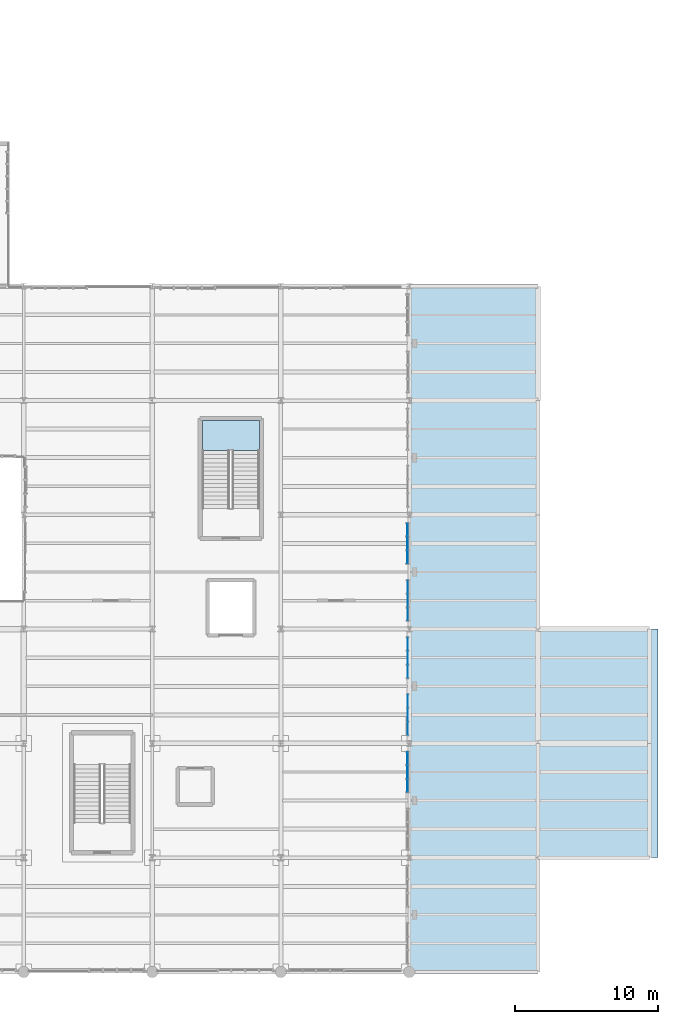
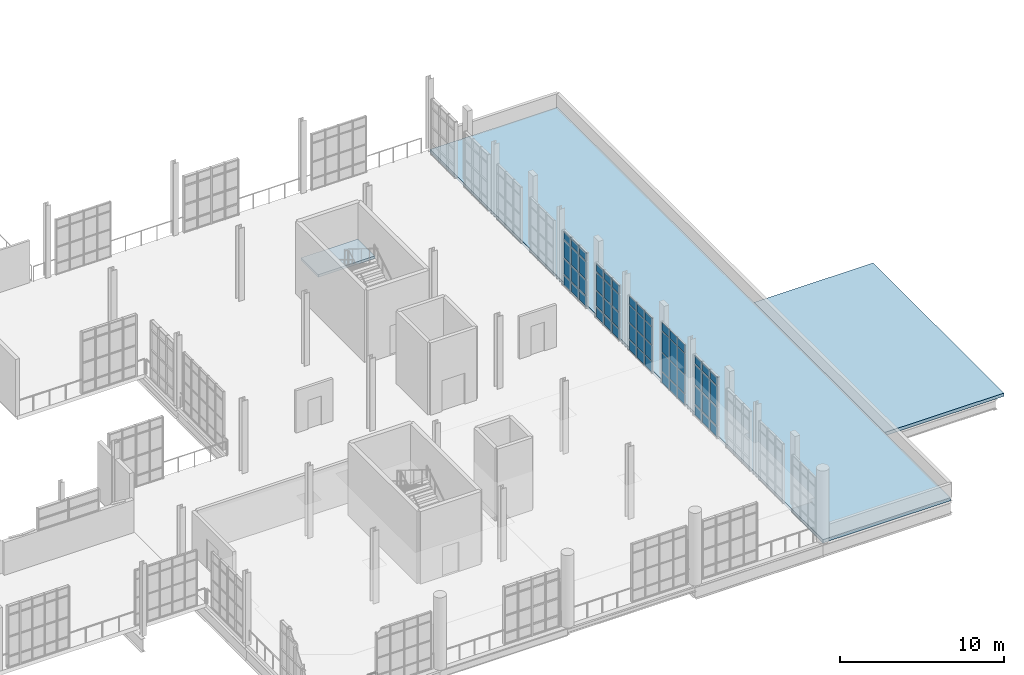
# One storey, part 116 of 142: 60 plates, 3 slabs, 6 elements without a shape of their own.
"""IFC4 building model written with IfcOpenShell, lengths in metres."""

from ifc_helpers import new_model, si_unit, direction, frame, origin, origin_2d, place, context, subcontext, project, spatial, polyline, rectangle, outline, extrude, material, layer, layer_set, type_object, element, aggregate, save


model = new_model("IFC4")

# Units and contexts
model_context = context("Model", 3, precision=1e-05, world=origin(), true_north=direction((0.0, 1.0)))
body_context = subcontext(model_context, "Body", "Model", "MODEL_VIEW")
ifc_project = project(units=[si_unit("LENGTHUNIT", "METRE"), si_unit("AREAUNIT", "SQUARE_METRE"), si_unit("VOLUMEUNIT", "CUBIC_METRE"), si_unit("PLANEANGLEUNIT", "RADIAN"), si_unit("MASSUNIT", "GRAM", prefix="KILO"), si_unit("THERMODYNAMICTEMPERATUREUNIT", "KELVIN"), si_unit("POWERUNIT", "WATT")], contexts=[model_context])

# Site, building, storey
site_placement = place(None, origin())
site = spatial("IfcSite", under=ifc_project, at=site_placement, CompositionType="ELEMENT")
building_placement = place(site_placement, origin())
building = spatial("IfcBuilding", under=site, at=building_placement, Name="Zelmaris Science Centre", CompositionType="ELEMENT")
storey_placement = place(building_placement, frame((0.0, 0.0, 5.39990234375)))
storey = spatial("IfcBuildingStorey", under=building, at=storey_placement, Name="L01", CompositionType="ELEMENT", Elevation=5.39990234375)

# Curtain wall, plates
ifc_material_1 = material(Name="Anodised architectural aluminium 6063-T6", Category="aluminium")
ifc_layer_1 = layer(ifc_material_1, 0.18994140625, Name="Anodised architectural aluminium 6063-T6")
ifc_layer_set_1 = layer_set([ifc_layer_1], Name="Anodised architectural aluminium 6063-T6")
curtain_wall_type_1 = type_object("IfcCurtainWallType", Name="Curtain Wall CW-01", PredefinedType="USERDEFINED", material=ifc_layer_set_1)
curtain_wall_1_placement = place(storey_placement, origin())
curtain_wall_1 = element("IfcCurtainWall", 1, at=curtain_wall_1_placement, inside=storey, type_object=curtain_wall_type_1, Name="L01 Unitised curtain wall 153", ObjectType="GLAZED CURTAIN WALL", PredefinedType="USERDEFINED")
ifc_material_2 = material(Name="Laminated hurricane-rated low-E insulated glazing", Category="glass")
ifc_layer_2 = layer(ifc_material_2, 0.031982421875, Name="Laminated hurricane-rated low-E insulated glazing")
ifc_layer_set_2 = layer_set([ifc_layer_2], Name="Laminated hurricane-rated low-E insulated glazing")
plate_type_1 = type_object("IfcPlateType", Name="Curtain Glazing Panel CWP-1 32mm", PredefinedType="CURTAIN_PANEL", material=ifc_layer_set_2)
plate_1_placement = place(storey_placement, frame((143.8798828125, 38.955322265625, 0.05712890625), z_axis=(0.0, 0.0, 1.0), x_axis=(0.0, -1.0, 0.0)))
plate_1 = element("IfcPlate", 2, at=plate_1_placement, type_object=plate_type_1, Name="CW-01 panel 1.1", PredefinedType="CURTAIN_PANEL", context=body_context, shape_type="SweptSolid", body=[
    extrude(rectangle(XDim=0.865234375, YDim=0.031982421875, at=origin_2d()), origin(), (0.0, 0.0, 1.0), 0.741943359375),
])
plate_2_placement = place(storey_placement, frame((143.8798828125, 38.955322265625, 0.87109375), z_axis=(0.0, 0.0, 1.0), x_axis=(0.0, -1.0, 0.0)))
plate_2 = element("IfcPlate", 3, at=plate_2_placement, type_object=plate_type_1, Name="CW-01 panel 1.2", PredefinedType="CURTAIN_PANEL", context=body_context, shape_type="SweptSolid", body=[
    extrude(rectangle(XDim=0.865234375, YDim=0.031982421875, at=origin_2d()), origin(), (0.0, 0.0, 1.0), 1.142578125),
])
plate_3_placement = place(storey_placement, frame((143.8798828125, 38.955322265625, 2.085693359375), z_axis=(0.0, 0.0, 1.0), x_axis=(0.0, -1.0, 0.0)))
plate_3 = element("IfcPlate", 4, at=plate_3_placement, type_object=plate_type_1, Name="CW-01 panel 1.3", PredefinedType="CURTAIN_PANEL", context=body_context, shape_type="SweptSolid", body=[
    extrude(rectangle(XDim=0.865234375, YDim=0.031982421875, at=origin_2d()), origin(), (0.0, 0.0, 1.0), 1.29248046875),
])
plate_4_placement = place(storey_placement, frame((143.8798828125, 38.955322265625, 3.4501953125), z_axis=(0.0, 0.0, 1.0), x_axis=(0.0, -1.0, 0.0)))
plate_4 = element("IfcPlate", 5, at=plate_4_placement, type_object=plate_type_1, Name="CW-01 panel 1.4", PredefinedType="CURTAIN_PANEL", context=body_context, shape_type="SweptSolid", body=[
    extrude(rectangle(XDim=0.865234375, YDim=0.031982421875, at=origin_2d()), origin(), (0.0, 0.0, 1.0), 0.592041015625),
])
plate_5_placement = place(storey_placement, frame((143.8798828125, 38.0, 0.05712890625), z_axis=(0.0, 0.0, 1.0), x_axis=(0.0, -1.0, 0.0)))
plate_5 = element("IfcPlate", 6, at=plate_5_placement, type_object=plate_type_1, Name="CW-01 panel 2.1", PredefinedType="CURTAIN_PANEL", context=body_context, shape_type="SweptSolid", body=[
    extrude(rectangle(XDim=0.9013671875, YDim=0.031982421875, at=origin_2d()), origin(), (0.0, 0.0, 1.0), 0.741943359375),
])
plate_6_placement = place(storey_placement, frame((143.8798828125, 38.0, 0.87109375), z_axis=(0.0, 0.0, 1.0), x_axis=(0.0, -1.0, 0.0)))
plate_6 = element("IfcPlate", 7, at=plate_6_placement, type_object=plate_type_1, Name="CW-01 panel 2.2", PredefinedType="CURTAIN_PANEL", context=body_context, shape_type="SweptSolid", body=[
    extrude(rectangle(XDim=0.9013671875, YDim=0.031982421875, at=origin_2d()), origin(), (0.0, 0.0, 1.0), 1.142578125),
])
plate_7_placement = place(storey_placement, frame((143.8798828125, 38.0, 2.085693359375), z_axis=(0.0, 0.0, 1.0), x_axis=(0.0, -1.0, 0.0)))
plate_7 = element("IfcPlate", 8, at=plate_7_placement, type_object=plate_type_1, Name="CW-01 panel 2.3", PredefinedType="CURTAIN_PANEL", context=body_context, shape_type="SweptSolid", body=[
    extrude(rectangle(XDim=0.9013671875, YDim=0.031982421875, at=origin_2d()), origin(), (0.0, 0.0, 1.0), 1.29248046875),
])
plate_8_placement = place(storey_placement, frame((143.8798828125, 38.0, 3.4501953125), z_axis=(0.0, 0.0, 1.0), x_axis=(0.0, -1.0, 0.0)))
plate_8 = element("IfcPlate", 9, at=plate_8_placement, type_object=plate_type_1, Name="CW-01 panel 2.4", PredefinedType="CURTAIN_PANEL", context=body_context, shape_type="SweptSolid", body=[
    extrude(rectangle(XDim=0.9013671875, YDim=0.031982421875, at=origin_2d()), origin(), (0.0, 0.0, 1.0), 0.592041015625),
])
plate_9_placement = place(storey_placement, frame((143.8798828125, 37.044677734375, 0.05712890625), z_axis=(0.0, 0.0, 1.0), x_axis=(0.0, -1.0, 0.0)))
plate_9 = element("IfcPlate", 10, at=plate_9_placement, type_object=plate_type_1, Name="CW-01 panel 3.1", PredefinedType="CURTAIN_PANEL", context=body_context, shape_type="SweptSolid", body=[
    extrude(rectangle(XDim=0.865234375, YDim=0.031982421875, at=origin_2d()), origin(), (0.0, 0.0, 1.0), 0.741943359375),
])
plate_10_placement = place(storey_placement, frame((143.8798828125, 37.044677734375, 0.87109375), z_axis=(0.0, 0.0, 1.0), x_axis=(0.0, -1.0, 0.0)))
plate_10 = element("IfcPlate", 11, at=plate_10_placement, type_object=plate_type_1, Name="CW-01 panel 3.2", PredefinedType="CURTAIN_PANEL", context=body_context, shape_type="SweptSolid", body=[
    extrude(rectangle(XDim=0.865234375, YDim=0.031982421875, at=origin_2d()), origin(), (0.0, 0.0, 1.0), 1.142578125),
])
plate_11_placement = place(storey_placement, frame((143.8798828125, 37.044677734375, 2.085693359375), z_axis=(0.0, 0.0, 1.0), x_axis=(0.0, -1.0, 0.0)))
plate_11 = element("IfcPlate", 12, at=plate_11_placement, type_object=plate_type_1, Name="CW-01 panel 3.3", PredefinedType="CURTAIN_PANEL", context=body_context, shape_type="SweptSolid", body=[
    extrude(rectangle(XDim=0.865234375, YDim=0.031982421875, at=origin_2d()), origin(), (0.0, 0.0, 1.0), 1.29248046875),
])
plate_12_placement = place(storey_placement, frame((143.8798828125, 37.044677734375, 3.4501953125), z_axis=(0.0, 0.0, 1.0), x_axis=(0.0, -1.0, 0.0)))
plate_12 = element("IfcPlate", 13, at=plate_12_placement, type_object=plate_type_1, Name="CW-01 panel 3.4", PredefinedType="CURTAIN_PANEL", context=body_context, shape_type="SweptSolid", body=[
    extrude(rectangle(XDim=0.865234375, YDim=0.031982421875, at=origin_2d()), origin(), (0.0, 0.0, 1.0), 0.592041015625),
])
aggregate(curtain_wall_1, [plate_1, plate_2, plate_3, plate_4, plate_5, plate_6, plate_7, plate_8, plate_9, plate_10, plate_11, plate_12])

curtain_wall_2_placement = place(storey_placement, origin())
curtain_wall_2 = element("IfcCurtainWall", 14, at=curtain_wall_2_placement, inside=storey, type_object=curtain_wall_type_1, Name="L01 Unitised curtain wall 157", ObjectType="GLAZED CURTAIN WALL", PredefinedType="USERDEFINED")
plate_13_placement = place(storey_placement, frame((143.8798828125, 22.955322265625, 0.05712890625), z_axis=(0.0, 0.0, 1.0), x_axis=(0.0, -1.0, 0.0)))
plate_13 = element("IfcPlate", 15, at=plate_13_placement, type_object=plate_type_1, Name="CW-01 panel 1.1", PredefinedType="CURTAIN_PANEL", context=body_context, shape_type="SweptSolid", body=[
    extrude(rectangle(XDim=0.865234375, YDim=0.031982421875, at=origin_2d()), origin(), (0.0, 0.0, 1.0), 0.741943359375),
])
plate_14_placement = place(storey_placement, frame((143.8798828125, 22.955322265625, 0.87109375), z_axis=(0.0, 0.0, 1.0), x_axis=(0.0, -1.0, 0.0)))
plate_14 = element("IfcPlate", 16, at=plate_14_placement, type_object=plate_type_1, Name="CW-01 panel 1.2", PredefinedType="CURTAIN_PANEL", context=body_context, shape_type="SweptSolid", body=[
    extrude(rectangle(XDim=0.865234375, YDim=0.031982421875, at=origin_2d()), origin(), (0.0, 0.0, 1.0), 1.365966796875),
])
plate_15_placement = place(storey_placement, frame((143.8798828125, 22.955322265625, 2.30908203125), z_axis=(0.0, 0.0, 1.0), x_axis=(0.0, -1.0, 0.0)))
plate_15 = element("IfcPlate", 17, at=plate_15_placement, type_object=plate_type_1, Name="CW-01 panel 1.3", PredefinedType="CURTAIN_PANEL", context=body_context, shape_type="SweptSolid", body=[
    extrude(rectangle(XDim=0.865234375, YDim=0.031982421875, at=origin_2d()), origin(), (0.0, 0.0, 1.0), 1.51611328125),
])
plate_16_placement = place(storey_placement, frame((143.8798828125, 22.955322265625, 3.89697265625), z_axis=(0.0, 0.0, 1.0), x_axis=(0.0, -1.0, 0.0)))
plate_16 = element("IfcPlate", 18, at=plate_16_placement, type_object=plate_type_1, Name="CW-01 panel 1.4", PredefinedType="CURTAIN_PANEL", context=body_context, shape_type="SweptSolid", body=[
    extrude(rectangle(XDim=0.865234375, YDim=0.031982421875, at=origin_2d()), origin(), (0.0, 0.0, 1.0), 0.592041015625),
])
plate_17_placement = place(storey_placement, frame((143.8798828125, 22.0, 0.05712890625), z_axis=(0.0, 0.0, 1.0), x_axis=(0.0, -1.0, 0.0)))
plate_17 = element("IfcPlate", 19, at=plate_17_placement, type_object=plate_type_1, Name="CW-01 panel 2.1", PredefinedType="CURTAIN_PANEL", context=body_context, shape_type="SweptSolid", body=[
    extrude(rectangle(XDim=0.9013671875, YDim=0.031982421875, at=origin_2d()), origin(), (0.0, 0.0, 1.0), 0.741943359375),
])
plate_18_placement = place(storey_placement, frame((143.8798828125, 22.0, 0.87109375), z_axis=(0.0, 0.0, 1.0), x_axis=(0.0, -1.0, 0.0)))
plate_18 = element("IfcPlate", 20, at=plate_18_placement, type_object=plate_type_1, Name="CW-01 panel 2.2", PredefinedType="CURTAIN_PANEL", context=body_context, shape_type="SweptSolid", body=[
    extrude(rectangle(XDim=0.9013671875, YDim=0.031982421875, at=origin_2d()), origin(), (0.0, 0.0, 1.0), 1.365966796875),
])
plate_19_placement = place(storey_placement, frame((143.8798828125, 22.0, 2.30908203125), z_axis=(0.0, 0.0, 1.0), x_axis=(0.0, -1.0, 0.0)))
plate_19 = element("IfcPlate", 21, at=plate_19_placement, type_object=plate_type_1, Name="CW-01 panel 2.3", PredefinedType="CURTAIN_PANEL", context=body_context, shape_type="SweptSolid", body=[
    extrude(rectangle(XDim=0.9013671875, YDim=0.031982421875, at=origin_2d()), origin(), (0.0, 0.0, 1.0), 1.51611328125),
])
plate_20_placement = place(storey_placement, frame((143.8798828125, 22.0, 3.89697265625), z_axis=(0.0, 0.0, 1.0), x_axis=(0.0, -1.0, 0.0)))
plate_20 = element("IfcPlate", 22, at=plate_20_placement, type_object=plate_type_1, Name="CW-01 panel 2.4", PredefinedType="CURTAIN_PANEL", context=body_context, shape_type="SweptSolid", body=[
    extrude(rectangle(XDim=0.9013671875, YDim=0.031982421875, at=origin_2d()), origin(), (0.0, 0.0, 1.0), 0.592041015625),
])
plate_21_placement = place(storey_placement, frame((143.8798828125, 21.044677734375, 0.05712890625), z_axis=(0.0, 0.0, 1.0), x_axis=(0.0, -1.0, 0.0)))
plate_21 = element("IfcPlate", 23, at=plate_21_placement, type_object=plate_type_1, Name="CW-01 panel 3.1", PredefinedType="CURTAIN_PANEL", context=body_context, shape_type="SweptSolid", body=[
    extrude(rectangle(XDim=0.865234375, YDim=0.031982421875, at=origin_2d()), origin(), (0.0, 0.0, 1.0), 0.741943359375),
])
plate_22_placement = place(storey_placement, frame((143.8798828125, 21.044677734375, 0.87109375), z_axis=(0.0, 0.0, 1.0), x_axis=(0.0, -1.0, 0.0)))
plate_22 = element("IfcPlate", 24, at=plate_22_placement, type_object=plate_type_1, Name="CW-01 panel 3.2", PredefinedType="CURTAIN_PANEL", context=body_context, shape_type="SweptSolid", body=[
    extrude(rectangle(XDim=0.865234375, YDim=0.031982421875, at=origin_2d()), origin(), (0.0, 0.0, 1.0), 1.365966796875),
])
plate_23_placement = place(storey_placement, frame((143.8798828125, 21.044677734375, 2.30908203125), z_axis=(0.0, 0.0, 1.0), x_axis=(0.0, -1.0, 0.0)))
plate_23 = element("IfcPlate", 25, at=plate_23_placement, type_object=plate_type_1, Name="CW-01 panel 3.3", PredefinedType="CURTAIN_PANEL", context=body_context, shape_type="SweptSolid", body=[
    extrude(rectangle(XDim=0.865234375, YDim=0.031982421875, at=origin_2d()), origin(), (0.0, 0.0, 1.0), 1.51611328125),
])
plate_24_placement = place(storey_placement, frame((143.8798828125, 21.044677734375, 3.89697265625), z_axis=(0.0, 0.0, 1.0), x_axis=(0.0, -1.0, 0.0)))
plate_24 = element("IfcPlate", 26, at=plate_24_placement, type_object=plate_type_1, Name="CW-01 panel 3.4", PredefinedType="CURTAIN_PANEL", context=body_context, shape_type="SweptSolid", body=[
    extrude(rectangle(XDim=0.865234375, YDim=0.031982421875, at=origin_2d()), origin(), (0.0, 0.0, 1.0), 0.592041015625),
])
aggregate(curtain_wall_2, [plate_13, plate_14, plate_15, plate_16, plate_17, plate_18, plate_19, plate_20, plate_21, plate_22, plate_23, plate_24])

ifc_layer_3 = layer(ifc_material_1, 0.199951171875, Name="Anodised architectural aluminium 6063-T6")
ifc_layer_set_3 = layer_set([ifc_layer_3], Name="Anodised architectural aluminium 6063-T6")
curtain_wall_type_2 = type_object("IfcCurtainWallType", Name="Curtain Wall CW-02", PredefinedType="USERDEFINED", material=ifc_layer_set_3)
curtain_wall_3_placement = place(storey_placement, origin())
curtain_wall_3 = element("IfcCurtainWall", 27, at=curtain_wall_3_placement, inside=storey, type_object=curtain_wall_type_2, Name="L01 Unitised curtain wall 154", ObjectType="GLAZED CURTAIN WALL", PredefinedType="USERDEFINED")
ifc_layer_4 = layer(ifc_material_2, 0.028076171875, Name="Laminated hurricane-rated low-E insulated glazing")
ifc_layer_set_4 = layer_set([ifc_layer_4], Name="Laminated hurricane-rated low-E insulated glazing")
plate_type_2 = type_object("IfcPlateType", Name="Curtain Glazing Panel CWP-2 28mm", PredefinedType="CURTAIN_PANEL", material=ifc_layer_set_4)
plate_25_placement = place(storey_placement, frame((143.8798828125, 34.95654296875, 0.052001953125), z_axis=(0.0, 0.0, 1.0), x_axis=(0.0, -1.0, 0.0)))
plate_25 = element("IfcPlate", 28, at=plate_25_placement, type_object=plate_type_2, Name="CW-02 panel 1.1", PredefinedType="CURTAIN_PANEL", context=body_context, shape_type="SweptSolid", body=[
    extrude(rectangle(XDim=0.872802734375, YDim=0.028076171875, at=origin_2d()), origin(), (0.0, 0.0, 1.0), 0.74951171875),
])
plate_26_placement = place(storey_placement, frame((143.8798828125, 34.95654296875, 0.86865234375), z_axis=(0.0, 0.0, 1.0), x_axis=(0.0, -1.0, 0.0)))
plate_26 = element("IfcPlate", 29, at=plate_26_placement, type_object=plate_type_2, Name="CW-02 panel 1.2", PredefinedType="CURTAIN_PANEL", context=body_context, shape_type="SweptSolid", body=[
    extrude(rectangle(XDim=0.872802734375, YDim=0.028076171875, at=origin_2d()), origin(), (0.0, 0.0, 1.0), 1.1474609375),
])
plate_27_placement = place(storey_placement, frame((143.8798828125, 34.95654296875, 2.0830078125), z_axis=(0.0, 0.0, 1.0), x_axis=(0.0, -1.0, 0.0)))
plate_27 = element("IfcPlate", 30, at=plate_27_placement, type_object=plate_type_2, Name="CW-02 panel 1.3", PredefinedType="CURTAIN_PANEL", context=body_context, shape_type="SweptSolid", body=[
    extrude(rectangle(XDim=0.872802734375, YDim=0.028076171875, at=origin_2d()), origin(), (0.0, 0.0, 1.0), 1.297607421875),
])
plate_28_placement = place(storey_placement, frame((143.8798828125, 34.95654296875, 3.447509765625), z_axis=(0.0, 0.0, 1.0), x_axis=(0.0, -1.0, 0.0)))
plate_28 = element("IfcPlate", 31, at=plate_28_placement, type_object=plate_type_2, Name="CW-02 panel 1.4", PredefinedType="CURTAIN_PANEL", context=body_context, shape_type="SweptSolid", body=[
    extrude(rectangle(XDim=0.872802734375, YDim=0.028076171875, at=origin_2d()), origin(), (0.0, 0.0, 1.0), 0.599609375),
])
plate_29_placement = place(storey_placement, frame((143.8798828125, 34.0, 0.052001953125), z_axis=(0.0, 0.0, 1.0), x_axis=(0.0, -1.0, 0.0)))
plate_29 = element("IfcPlate", 32, at=plate_29_placement, type_object=plate_type_2, Name="CW-02 panel 2.1", PredefinedType="CURTAIN_PANEL", context=body_context, shape_type="SweptSolid", body=[
    extrude(rectangle(XDim=0.90625, YDim=0.028076171875, at=origin_2d()), origin(), (0.0, 0.0, 1.0), 0.74951171875),
])
plate_30_placement = place(storey_placement, frame((143.8798828125, 34.0, 0.86865234375), z_axis=(0.0, 0.0, 1.0), x_axis=(0.0, -1.0, 0.0)))
plate_30 = element("IfcPlate", 33, at=plate_30_placement, type_object=plate_type_2, Name="CW-02 panel 2.2", PredefinedType="CURTAIN_PANEL", context=body_context, shape_type="SweptSolid", body=[
    extrude(rectangle(XDim=0.90625, YDim=0.028076171875, at=origin_2d()), origin(), (0.0, 0.0, 1.0), 1.1474609375),
])
plate_31_placement = place(storey_placement, frame((143.8798828125, 34.0, 2.0830078125), z_axis=(0.0, 0.0, 1.0), x_axis=(0.0, -1.0, 0.0)))
plate_31 = element("IfcPlate", 34, at=plate_31_placement, type_object=plate_type_2, Name="CW-02 panel 2.3", PredefinedType="CURTAIN_PANEL", context=body_context, shape_type="SweptSolid", body=[
    extrude(rectangle(XDim=0.90625, YDim=0.028076171875, at=origin_2d()), origin(), (0.0, 0.0, 1.0), 1.297607421875),
])
plate_32_placement = place(storey_placement, frame((143.8798828125, 34.0, 3.447509765625), z_axis=(0.0, 0.0, 1.0), x_axis=(0.0, -1.0, 0.0)))
plate_32 = element("IfcPlate", 35, at=plate_32_placement, type_object=plate_type_2, Name="CW-02 panel 2.4", PredefinedType="CURTAIN_PANEL", context=body_context, shape_type="SweptSolid", body=[
    extrude(rectangle(XDim=0.90625, YDim=0.028076171875, at=origin_2d()), origin(), (0.0, 0.0, 1.0), 0.599609375),
])
plate_33_placement = place(storey_placement, frame((143.8798828125, 33.04345703125, 0.052001953125), z_axis=(0.0, 0.0, 1.0), x_axis=(0.0, -1.0, 0.0)))
plate_33 = element("IfcPlate", 36, at=plate_33_placement, type_object=plate_type_2, Name="CW-02 panel 3.1", PredefinedType="CURTAIN_PANEL", context=body_context, shape_type="SweptSolid", body=[
    extrude(rectangle(XDim=0.872802734375, YDim=0.028076171875, at=origin_2d()), origin(), (0.0, 0.0, 1.0), 0.74951171875),
])
plate_34_placement = place(storey_placement, frame((143.8798828125, 33.04345703125, 0.86865234375), z_axis=(0.0, 0.0, 1.0), x_axis=(0.0, -1.0, 0.0)))
plate_34 = element("IfcPlate", 37, at=plate_34_placement, type_object=plate_type_2, Name="CW-02 panel 3.2", PredefinedType="CURTAIN_PANEL", context=body_context, shape_type="SweptSolid", body=[
    extrude(rectangle(XDim=0.872802734375, YDim=0.028076171875, at=origin_2d()), origin(), (0.0, 0.0, 1.0), 1.1474609375),
])
plate_35_placement = place(storey_placement, frame((143.8798828125, 33.04345703125, 2.0830078125), z_axis=(0.0, 0.0, 1.0), x_axis=(0.0, -1.0, 0.0)))
plate_35 = element("IfcPlate", 38, at=plate_35_placement, type_object=plate_type_2, Name="CW-02 panel 3.3", PredefinedType="CURTAIN_PANEL", context=body_context, shape_type="SweptSolid", body=[
    extrude(rectangle(XDim=0.872802734375, YDim=0.028076171875, at=origin_2d()), origin(), (0.0, 0.0, 1.0), 1.297607421875),
])
plate_36_placement = place(storey_placement, frame((143.8798828125, 33.04345703125, 3.447509765625), z_axis=(0.0, 0.0, 1.0), x_axis=(0.0, -1.0, 0.0)))
plate_36 = element("IfcPlate", 39, at=plate_36_placement, type_object=plate_type_2, Name="CW-02 panel 3.4", PredefinedType="CURTAIN_PANEL", context=body_context, shape_type="SweptSolid", body=[
    extrude(rectangle(XDim=0.872802734375, YDim=0.028076171875, at=origin_2d()), origin(), (0.0, 0.0, 1.0), 0.599609375),
])
aggregate(curtain_wall_3, [plate_25, plate_26, plate_27, plate_28, plate_29, plate_30, plate_31, plate_32, plate_33, plate_34, plate_35, plate_36])

ifc_layer_5 = layer(ifc_material_1, 0.2099609375, Name="Anodised architectural aluminium 6063-T6")
ifc_layer_set_5 = layer_set([ifc_layer_5], Name="Anodised architectural aluminium 6063-T6")
curtain_wall_type_3 = type_object("IfcCurtainWallType", Name="Curtain Wall CW-03", PredefinedType="USERDEFINED", material=ifc_layer_set_5)
curtain_wall_4_placement = place(storey_placement, origin())
curtain_wall_4 = element("IfcCurtainWall", 40, at=curtain_wall_4_placement, inside=storey, type_object=curtain_wall_type_3, Name="L01 Unitised curtain wall 155", ObjectType="GLAZED CURTAIN WALL", PredefinedType="USERDEFINED")
ifc_layer_6 = layer(ifc_material_2, 0.02587890625, Name="Laminated hurricane-rated low-E insulated glazing")
ifc_layer_set_6 = layer_set([ifc_layer_6], Name="Laminated hurricane-rated low-E insulated glazing")
plate_type_3 = type_object("IfcPlateType", Name="Curtain Glazing Panel CWP-3 26mm", PredefinedType="CURTAIN_PANEL", material=ifc_layer_set_6)
plate_37_placement = place(storey_placement, frame((143.8798828125, 30.958984375, 0.0419921875), z_axis=(0.0, 0.0, 1.0), x_axis=(0.0, -1.0, 0.0)))
plate_37 = element("IfcPlate", 41, at=plate_37_placement, type_object=plate_type_3, Name="CW-03 panel 1.1", PredefinedType="CURTAIN_PANEL", context=body_context, shape_type="SweptSolid", body=[
    extrude(rectangle(XDim=0.887939453125, YDim=0.02587890625, at=origin_2d()), origin(), (0.0, 0.0, 1.0), 0.764404296875),
])
plate_38_placement = place(storey_placement, frame((143.8798828125, 30.958984375, 0.86376953125), z_axis=(0.0, 0.0, 1.0), x_axis=(0.0, -1.0, 0.0)))
plate_38 = element("IfcPlate", 42, at=plate_38_placement, type_object=plate_type_3, Name="CW-03 panel 1.2", PredefinedType="CURTAIN_PANEL", context=body_context, shape_type="SweptSolid", body=[
    extrude(rectangle(XDim=0.887939453125, YDim=0.02587890625, at=origin_2d()), origin(), (0.0, 0.0, 1.0), 1.157470703125),
])
plate_39_placement = place(storey_placement, frame((143.8798828125, 30.958984375, 2.078125), z_axis=(0.0, 0.0, 1.0), x_axis=(0.0, -1.0, 0.0)))
plate_39 = element("IfcPlate", 43, at=plate_39_placement, type_object=plate_type_3, Name="CW-03 panel 1.3", PredefinedType="CURTAIN_PANEL", context=body_context, shape_type="SweptSolid", body=[
    extrude(rectangle(XDim=0.887939453125, YDim=0.02587890625, at=origin_2d()), origin(), (0.0, 0.0, 1.0), 1.3076171875),
])
plate_40_placement = place(storey_placement, frame((143.8798828125, 30.958984375, 3.4423828125), z_axis=(0.0, 0.0, 1.0), x_axis=(0.0, -1.0, 0.0)))
plate_40 = element("IfcPlate", 44, at=plate_40_placement, type_object=plate_type_3, Name="CW-03 panel 1.4", PredefinedType="CURTAIN_PANEL", context=body_context, shape_type="SweptSolid", body=[
    extrude(rectangle(XDim=0.887939453125, YDim=0.02587890625, at=origin_2d()), origin(), (0.0, 0.0, 1.0), 0.614501953125),
])
plate_41_placement = place(storey_placement, frame((143.8798828125, 30.0, 0.0419921875), z_axis=(0.0, 0.0, 1.0), x_axis=(0.0, -1.0, 0.0)))
plate_41 = element("IfcPlate", 45, at=plate_41_placement, type_object=plate_type_3, Name="CW-03 panel 2.1", PredefinedType="CURTAIN_PANEL", context=body_context, shape_type="SweptSolid", body=[
    extrude(rectangle(XDim=0.916259765625, YDim=0.02587890625, at=origin_2d()), origin(), (0.0, 0.0, 1.0), 0.764404296875),
])
plate_42_placement = place(storey_placement, frame((143.8798828125, 30.0, 0.86376953125), z_axis=(0.0, 0.0, 1.0), x_axis=(0.0, -1.0, 0.0)))
plate_42 = element("IfcPlate", 46, at=plate_42_placement, type_object=plate_type_3, Name="CW-03 panel 2.2", PredefinedType="CURTAIN_PANEL", context=body_context, shape_type="SweptSolid", body=[
    extrude(rectangle(XDim=0.916259765625, YDim=0.02587890625, at=origin_2d()), origin(), (0.0, 0.0, 1.0), 1.157470703125),
])
plate_43_placement = place(storey_placement, frame((143.8798828125, 30.0, 2.078125), z_axis=(0.0, 0.0, 1.0), x_axis=(0.0, -1.0, 0.0)))
plate_43 = element("IfcPlate", 47, at=plate_43_placement, type_object=plate_type_3, Name="CW-03 panel 2.3", PredefinedType="CURTAIN_PANEL", context=body_context, shape_type="SweptSolid", body=[
    extrude(rectangle(XDim=0.916259765625, YDim=0.02587890625, at=origin_2d()), origin(), (0.0, 0.0, 1.0), 1.3076171875),
])
plate_44_placement = place(storey_placement, frame((143.8798828125, 30.0, 3.4423828125), z_axis=(0.0, 0.0, 1.0), x_axis=(0.0, -1.0, 0.0)))
plate_44 = element("IfcPlate", 48, at=plate_44_placement, type_object=plate_type_3, Name="CW-03 panel 2.4", PredefinedType="CURTAIN_PANEL", context=body_context, shape_type="SweptSolid", body=[
    extrude(rectangle(XDim=0.916259765625, YDim=0.02587890625, at=origin_2d()), origin(), (0.0, 0.0, 1.0), 0.614501953125),
])
plate_45_placement = place(storey_placement, frame((143.8798828125, 29.041015625, 0.0419921875), z_axis=(0.0, 0.0, 1.0), x_axis=(0.0, -1.0, 0.0)))
plate_45 = element("IfcPlate", 49, at=plate_45_placement, type_object=plate_type_3, Name="CW-03 panel 3.1", PredefinedType="CURTAIN_PANEL", context=body_context, shape_type="SweptSolid", body=[
    extrude(rectangle(XDim=0.887939453125, YDim=0.02587890625, at=origin_2d()), origin(), (0.0, 0.0, 1.0), 0.764404296875),
])
plate_46_placement = place(storey_placement, frame((143.8798828125, 29.041015625, 0.86376953125), z_axis=(0.0, 0.0, 1.0), x_axis=(0.0, -1.0, 0.0)))
plate_46 = element("IfcPlate", 50, at=plate_46_placement, type_object=plate_type_3, Name="CW-03 panel 3.2", PredefinedType="CURTAIN_PANEL", context=body_context, shape_type="SweptSolid", body=[
    extrude(rectangle(XDim=0.887939453125, YDim=0.02587890625, at=origin_2d()), origin(), (0.0, 0.0, 1.0), 1.157470703125),
])
plate_47_placement = place(storey_placement, frame((143.8798828125, 29.041015625, 2.078125), z_axis=(0.0, 0.0, 1.0), x_axis=(0.0, -1.0, 0.0)))
plate_47 = element("IfcPlate", 51, at=plate_47_placement, type_object=plate_type_3, Name="CW-03 panel 3.3", PredefinedType="CURTAIN_PANEL", context=body_context, shape_type="SweptSolid", body=[
    extrude(rectangle(XDim=0.887939453125, YDim=0.02587890625, at=origin_2d()), origin(), (0.0, 0.0, 1.0), 1.3076171875),
])
plate_48_placement = place(storey_placement, frame((143.8798828125, 29.041015625, 3.4423828125), z_axis=(0.0, 0.0, 1.0), x_axis=(0.0, -1.0, 0.0)))
plate_48 = element("IfcPlate", 52, at=plate_48_placement, type_object=plate_type_3, Name="CW-03 panel 3.4", PredefinedType="CURTAIN_PANEL", context=body_context, shape_type="SweptSolid", body=[
    extrude(rectangle(XDim=0.887939453125, YDim=0.02587890625, at=origin_2d()), origin(), (0.0, 0.0, 1.0), 0.614501953125),
])
aggregate(curtain_wall_4, [plate_37, plate_38, plate_39, plate_40, plate_41, plate_42, plate_43, plate_44, plate_45, plate_46, plate_47, plate_48])

ifc_layer_7 = layer(ifc_material_1, 0.219970703125, Name="Anodised architectural aluminium 6063-T6")
ifc_layer_set_7 = layer_set([ifc_layer_7], Name="Anodised architectural aluminium 6063-T6")
curtain_wall_type_4 = type_object("IfcCurtainWallType", Name="Curtain Wall CW-04", PredefinedType="USERDEFINED", material=ifc_layer_set_7)
curtain_wall_5_placement = place(storey_placement, origin())
curtain_wall_5 = element("IfcCurtainWall", 53, at=curtain_wall_5_placement, inside=storey, type_object=curtain_wall_type_4, Name="L01 Unitised curtain wall 156", ObjectType="GLAZED CURTAIN WALL", PredefinedType="USERDEFINED")
ifc_layer_8 = layer(ifc_material_2, 0.02392578125, Name="Laminated hurricane-rated low-E insulated glazing")
ifc_layer_set_8 = layer_set([ifc_layer_8], Name="Laminated hurricane-rated low-E insulated glazing")
plate_type_4 = type_object("IfcPlateType", Name="Curtain Glazing Panel CWP-4 24mm", PredefinedType="CURTAIN_PANEL", material=ifc_layer_set_8)
plate_49_placement = place(storey_placement, frame((143.8798828125, 26.96044921875, 0.037109375), z_axis=(0.0, 0.0, 1.0), x_axis=(0.0, -1.0, 0.0)))
plate_49 = element("IfcPlate", 54, at=plate_49_placement, type_object=plate_type_4, Name="CW-04 panel 1.1", PredefinedType="CURTAIN_PANEL", context=body_context, shape_type="SweptSolid", body=[
    extrude(rectangle(XDim=0.895263671875, YDim=0.02392578125, at=origin_2d()), origin(), (0.0, 0.0, 1.0), 0.77197265625),
])
plate_50_placement = place(storey_placement, frame((143.8798828125, 26.96044921875, 0.861328125), z_axis=(0.0, 0.0, 1.0), x_axis=(0.0, -1.0, 0.0)))
plate_50 = element("IfcPlate", 55, at=plate_50_placement, type_object=plate_type_4, Name="CW-04 panel 1.2", PredefinedType="CURTAIN_PANEL", context=body_context, shape_type="SweptSolid", body=[
    extrude(rectangle(XDim=0.895263671875, YDim=0.02392578125, at=origin_2d()), origin(), (0.0, 0.0, 1.0), 1.385986328125),
])
plate_51_placement = place(storey_placement, frame((143.8798828125, 26.96044921875, 2.29931640625), z_axis=(0.0, 0.0, 1.0), x_axis=(0.0, -1.0, 0.0)))
plate_51 = element("IfcPlate", 56, at=plate_51_placement, type_object=plate_type_4, Name="CW-04 panel 1.3", PredefinedType="CURTAIN_PANEL", context=body_context, shape_type="SweptSolid", body=[
    extrude(rectangle(XDim=0.895263671875, YDim=0.02392578125, at=origin_2d()), origin(), (0.0, 0.0, 1.0), 1.535888671875),
])
plate_52_placement = place(storey_placement, frame((143.8798828125, 26.96044921875, 3.886962890625), z_axis=(0.0, 0.0, 1.0), x_axis=(0.0, -1.0, 0.0)))
plate_52 = element("IfcPlate", 57, at=plate_52_placement, type_object=plate_type_4, Name="CW-04 panel 1.4", PredefinedType="CURTAIN_PANEL", context=body_context, shape_type="SweptSolid", body=[
    extrude(rectangle(XDim=0.895263671875, YDim=0.02392578125, at=origin_2d()), origin(), (0.0, 0.0, 1.0), 0.6220703125),
])
plate_53_placement = place(storey_placement, frame((143.8798828125, 26.0, 0.037109375), z_axis=(0.0, 0.0, 1.0), x_axis=(0.0, -1.0, 0.0)))
plate_53 = element("IfcPlate", 58, at=plate_53_placement, type_object=plate_type_4, Name="CW-04 panel 2.1", PredefinedType="CURTAIN_PANEL", context=body_context, shape_type="SweptSolid", body=[
    extrude(rectangle(XDim=0.92138671875, YDim=0.02392578125, at=origin_2d()), origin(), (0.0, 0.0, 1.0), 0.77197265625),
])
plate_54_placement = place(storey_placement, frame((143.8798828125, 26.0, 0.861328125), z_axis=(0.0, 0.0, 1.0), x_axis=(0.0, -1.0, 0.0)))
plate_54 = element("IfcPlate", 59, at=plate_54_placement, type_object=plate_type_4, Name="CW-04 panel 2.2", PredefinedType="CURTAIN_PANEL", context=body_context, shape_type="SweptSolid", body=[
    extrude(rectangle(XDim=0.92138671875, YDim=0.02392578125, at=origin_2d()), origin(), (0.0, 0.0, 1.0), 1.385986328125),
])
plate_55_placement = place(storey_placement, frame((143.8798828125, 26.0, 2.29931640625), z_axis=(0.0, 0.0, 1.0), x_axis=(0.0, -1.0, 0.0)))
plate_55 = element("IfcPlate", 60, at=plate_55_placement, type_object=plate_type_4, Name="CW-04 panel 2.3", PredefinedType="CURTAIN_PANEL", context=body_context, shape_type="SweptSolid", body=[
    extrude(rectangle(XDim=0.92138671875, YDim=0.02392578125, at=origin_2d()), origin(), (0.0, 0.0, 1.0), 1.535888671875),
])
plate_56_placement = place(storey_placement, frame((143.8798828125, 26.0, 3.886962890625), z_axis=(0.0, 0.0, 1.0), x_axis=(0.0, -1.0, 0.0)))
plate_56 = element("IfcPlate", 61, at=plate_56_placement, type_object=plate_type_4, Name="CW-04 panel 2.4", PredefinedType="CURTAIN_PANEL", context=body_context, shape_type="SweptSolid", body=[
    extrude(rectangle(XDim=0.92138671875, YDim=0.02392578125, at=origin_2d()), origin(), (0.0, 0.0, 1.0), 0.6220703125),
])
plate_57_placement = place(storey_placement, frame((143.8798828125, 25.03955078125, 0.037109375), z_axis=(0.0, 0.0, 1.0), x_axis=(0.0, -1.0, 0.0)))
plate_57 = element("IfcPlate", 62, at=plate_57_placement, type_object=plate_type_4, Name="CW-04 panel 3.1", PredefinedType="CURTAIN_PANEL", context=body_context, shape_type="SweptSolid", body=[
    extrude(rectangle(XDim=0.895263671875, YDim=0.02392578125, at=origin_2d()), origin(), (0.0, 0.0, 1.0), 0.77197265625),
])
plate_58_placement = place(storey_placement, frame((143.8798828125, 25.03955078125, 0.861328125), z_axis=(0.0, 0.0, 1.0), x_axis=(0.0, -1.0, 0.0)))
plate_58 = element("IfcPlate", 63, at=plate_58_placement, type_object=plate_type_4, Name="CW-04 panel 3.2", PredefinedType="CURTAIN_PANEL", context=body_context, shape_type="SweptSolid", body=[
    extrude(rectangle(XDim=0.895263671875, YDim=0.02392578125, at=origin_2d()), origin(), (0.0, 0.0, 1.0), 1.385986328125),
])
plate_59_placement = place(storey_placement, frame((143.8798828125, 25.03955078125, 2.29931640625), z_axis=(0.0, 0.0, 1.0), x_axis=(0.0, -1.0, 0.0)))
plate_59 = element("IfcPlate", 64, at=plate_59_placement, type_object=plate_type_4, Name="CW-04 panel 3.3", PredefinedType="CURTAIN_PANEL", context=body_context, shape_type="SweptSolid", body=[
    extrude(rectangle(XDim=0.895263671875, YDim=0.02392578125, at=origin_2d()), origin(), (0.0, 0.0, 1.0), 1.535888671875),
])
plate_60_placement = place(storey_placement, frame((143.8798828125, 25.03955078125, 3.886962890625), z_axis=(0.0, 0.0, 1.0), x_axis=(0.0, -1.0, 0.0)))
plate_60 = element("IfcPlate", 65, at=plate_60_placement, type_object=plate_type_4, Name="CW-04 panel 3.4", PredefinedType="CURTAIN_PANEL", context=body_context, shape_type="SweptSolid", body=[
    extrude(rectangle(XDim=0.895263671875, YDim=0.02392578125, at=origin_2d()), origin(), (0.0, 0.0, 1.0), 0.6220703125),
])
aggregate(curtain_wall_5, [plate_49, plate_50, plate_51, plate_52, plate_53, plate_54, plate_55, plate_56, plate_57, plate_58, plate_59, plate_60])

# Stair, slab
ifc_material_3 = material(Name="Concrete C40/50", Category="concrete")
stair_type = type_object("IfcStairType", Name="Exit Stair ST-A W1900", PredefinedType="HALF_TURN_STAIR", material=ifc_material_3)
stair_placement = place(storey_placement, origin())
stair = element("IfcStair", 66, at=stair_placement, inside=storey, type_object=stair_type, Name="L01 Exit Stair Core ST-5", PredefinedType="HALF_TURN_STAIR")
ifc_material_4 = material(Name="Concrete C35/45", Category="concrete")
ifc_layer_9 = layer(ifc_material_4, 0.18994140625, Name="Concrete C35/45")
ifc_layer_set_9 = layer_set([ifc_layer_9], Name="Concrete C35/45")
slab_type_1 = type_object("IfcSlabType", Name="Slab SL-LD190 190mm", PredefinedType="LANDING", material=ifc_layer_set_9)
slab_1_placement = place(storey_placement, frame((0.0, 0.0, 2.510009765625)))
slab_1 = element("IfcSlab", 67, at=slab_1_placement, type_object=slab_type_1, Name="ST-5 landing 1", PredefinedType="LANDING", context=body_context, shape_type="SweptSolid", body=[
    extrude(outline(polyline([(133.5, 44.510009765625), (133.5, 46.60009765625), (129.5, 46.60009765625), (129.5, 44.510009765625), (133.5, 44.510009765625)])), origin(), (0.0, 0.0, 1.0), 0.190185546875),
])
aggregate(stair, [slab_1])

# Slabs
ifc_layer_10 = layer(ifc_material_4, 0.239990234375, Name="Concrete C35/45")
ifc_layer_set_10 = layer_set([ifc_layer_10], Name="Concrete C35/45")
slab_type_2 = type_object("IfcSlabType", Name="Slab SL-RF240 240mm", PredefinedType="ROOF", material=ifc_layer_set_10)
slab_2_placement = place(storey_placement, frame((0.0, 0.0, -0.239990234375)))
element("IfcSlab", 68, at=slab_2_placement, inside=storey, type_object=slab_type_2, Name="L01 East canopy roof slab", PredefinedType="ROOF", context=body_context, shape_type="SweptSolid", body=[
    extrude(outline(polyline([(153.0, 32.0), (161.39990234375, 32.0), (161.39990234375, 16.0), (153.0, 16.0), (153.0, 32.0)])), origin(), (0.0, 0.0, 1.0), 0.239990234375),
])
slab_3_placement = place(storey_placement, frame((0.0, 0.0, -0.239990234375)))
element("IfcSlab", 69, at=slab_3_placement, inside=storey, type_object=slab_type_2, Name="L01 East workshop bay roof slab", PredefinedType="ROOF", context=body_context, shape_type="SweptSolid", body=[
    extrude(outline(polyline([(153.0, 8.0), (144.010009765625, 8.0), (144.010009765625, 56.0), (153.0, 56.0), (153.0, 8.0)])), origin(), (0.0, 0.0, 1.0), 0.239990234375),
])

save(model, "model.ifc")
